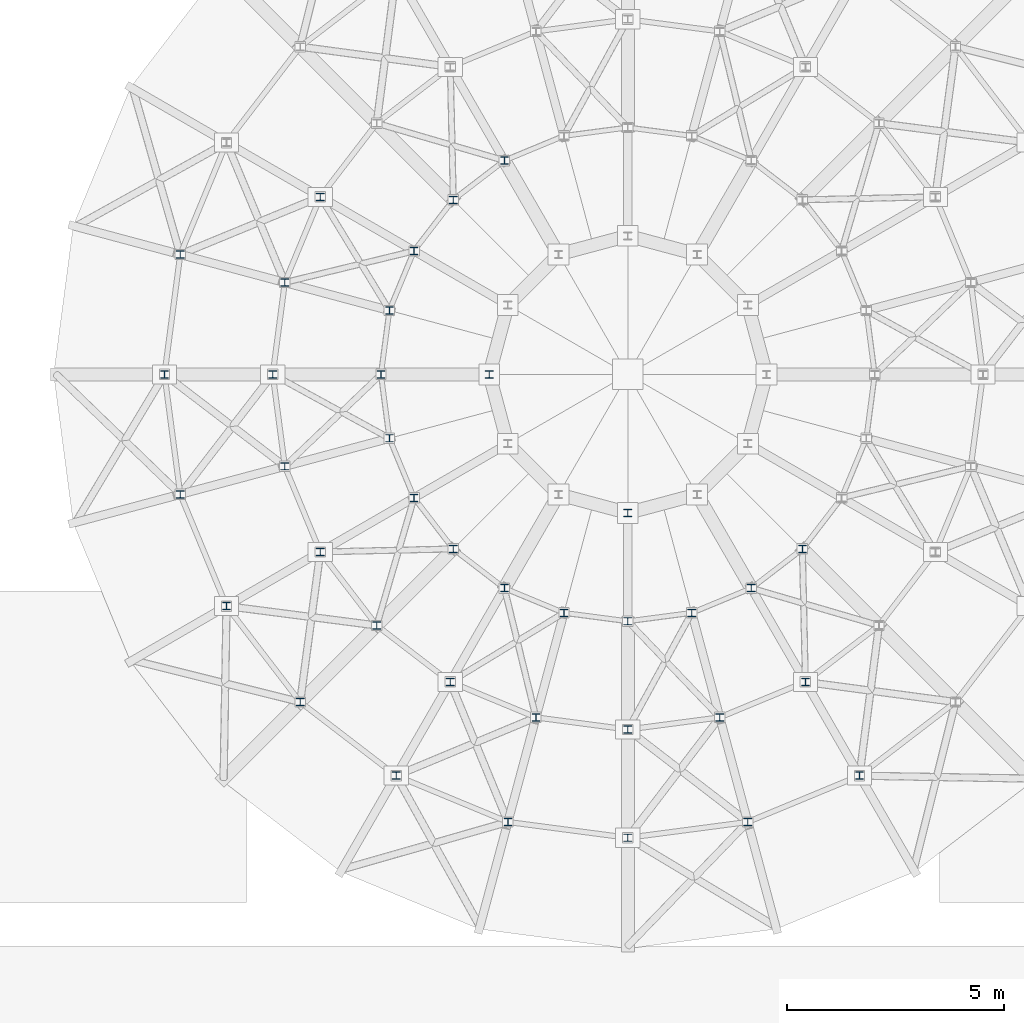
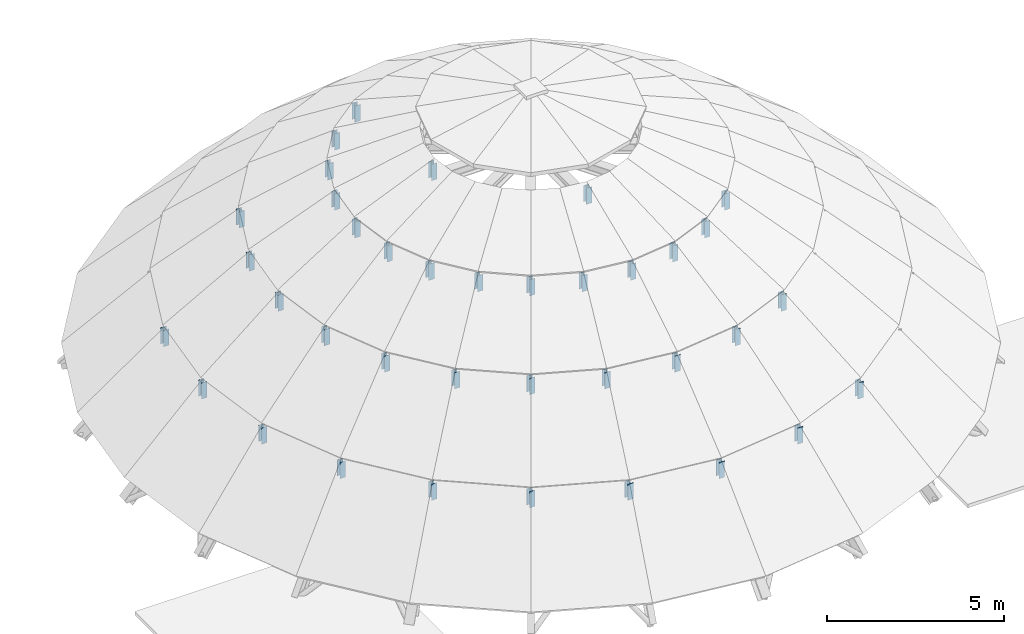
# One storey, part 20 of 31: 37 members.
"""IFC4 building model written with IfcOpenShell, lengths in metres."""

from ifc_helpers import new_model, si_unit, direction, frame, origin, origin_2d, place, context, subcontext, project, spatial, i_section, extrude, material, material_profile, profile_set, type_object, element, save


model = new_model("IFC4")

# Units and contexts
model_context = context("Model", 3, precision=1e-05, world=origin(), true_north=direction((0.0, 1.0)))
body_context = subcontext(model_context, "Body", "Model", "MODEL_VIEW")
ifc_project = project(units=[si_unit("LENGTHUNIT", "METRE"), si_unit("AREAUNIT", "SQUARE_METRE"), si_unit("VOLUMEUNIT", "CUBIC_METRE"), si_unit("PLANEANGLEUNIT", "RADIAN"), si_unit("MASSUNIT", "GRAM", prefix="KILO")], contexts=[model_context])

# Site, building, storey
site_placement = place(None, origin())
site = spatial("IfcSite", under=ifc_project, at=site_placement, CompositionType="ELEMENT")
building_placement = place(site_placement, origin())
building = spatial("IfcBuilding", under=site, at=building_placement, Name="Clarverna Civic Hall", CompositionType="ELEMENT")
storey_placement = place(building_placement, frame((0.0, 0.0, 31.199951171875)))
storey = spatial("IfcBuildingStorey", under=building, at=storey_placement, Name="RF", CompositionType="ELEMENT", Elevation=31.199951171875)

# Members
ifc_material = material(Name="Steel S355", Category="steel")
ifc_material_profile = material_profile(ifc_material, i_section(OverallWidth=0.179931640625, OverallDepth=0.1708984375, WebThickness=0.006103515625, FlangeThickness=0.009521484375, FilletRadius=0.014892578125, at=origin_2d()), Name="HEA 180")
ifc_profile_set = profile_set([ifc_material_profile], Name="Steel S355")
member_type = type_object("IfcMemberType", Name="CH-04", PredefinedType="CHORD", material=ifc_profile_set)
for number, where, z_axis, x_axis, name in (
    (1, (72.464599609375, 61.769287109375, -8.099853515625), (0.0, 0.0, 1.0), (1.0, 0.0, 0.0), "CH-04-012"),
    (2, (72.10009765625, 59.0, -8.099853515625), (0.0, 0.0, 1.0), (1.0, 0.0, 0.0), "CH-04-013"),
    (3, (72.464599609375, 56.230712890625, -8.099853515625), (0.0, 0.0, 1.0), (1.0, 0.0, 0.0), "CH-04-014"),
    (4, (73.533447265625, 53.64990234375, -8.099853515625), (0.0, 0.0, 1.0), (1.0, 0.0, 0.0), "CH-04-015"),
    (5, (75.23388671875, 51.43408203125, -8.099853515625), (0.0, 0.0, 1.0), (1.0, 0.0, 0.0), "CH-04-016"),
    (6, (77.449951171875, 49.7333984375, -8.099853515625), (0.0, 0.0, 1.0), (1.0, 0.0, 0.0), "CH-04-017"),
    (7, (80.030517578125, 48.66455078125, -8.099853515625), (0.0, 0.0, 1.0), (1.0, 0.0, 0.0), "CH-04-018"),
    (8, (82.800048828125, 48.300048828125, -8.099853515625), (0.0, 0.0, 1.0), (1.0, 0.0, 0.0), "CH-04-019"),
    (9, (85.5693359375, 48.66455078125, -8.099853515625), (0.0, 0.0, 1.0), (1.0, 0.0, 0.0), "CH-04-020"),
    (10, (88.14990234375, 49.7333984375, -8.099853515625), (0.0, 0.0, 1.0), (1.0, 0.0, 0.0), "CH-04-021"),
):
    element("IfcMember", number, at=place(storey_placement, frame(where, z_axis=z_axis, x_axis=x_axis)), inside=storey, type_object=member_type, Name=name, PredefinedType="CHORD", context=body_context, shape_type="SweptSolid", body=[
        extrude(i_section(OverallWidth=0.179931640625, OverallDepth=0.1708984375, WebThickness=0.006103515625, FlangeThickness=0.009521484375, FilletRadius=0.014892578125, at=origin_2d()), origin(), (0.0, 0.0, 1.0), 0.559814453125),
    ])
for number, where, z_axis, x_axis, name in (
    (11, (75.698486328125, 63.10009765625, -5.949951171875), (0.0, 0.0, 1.0), (1.0, 0.0, 0.0), "CH-04-035"),
    (12, (74.87939453125, 61.122314453125, -5.949951171875), (0.0, 0.0, 1.0), (1.0, 0.0, 0.0), "CH-04-036"),
    (13, (74.60009765625, 59.0, -5.949951171875), (0.0, 0.0, 1.0), (1.0, 0.0, 0.0), "CH-04-037"),
    (14, (74.87939453125, 56.877685546875, -5.949951171875), (0.0, 0.0, 1.0), (1.0, 0.0, 0.0), "CH-04-038"),
    (15, (75.698486328125, 54.89990234375, -5.949951171875), (0.0, 0.0, 1.0), (1.0, 0.0, 0.0), "CH-04-039"),
    (16, (77.001708984375, 53.20166015625, -5.949951171875), (0.0, 0.0, 1.0), (1.0, 0.0, 0.0), "CH-04-040"),
    (17, (78.699951171875, 51.898681640625, -5.949951171875), (0.0, 0.0, 1.0), (1.0, 0.0, 0.0), "CH-04-041"),
    (18, (80.677734375, 51.079345703125, -5.949951171875), (0.0, 0.0, 1.0), (1.0, 0.0, 0.0), "CH-04-042"),
    (19, (82.800048828125, 50.800048828125, -5.949951171875), (0.0, 0.0, 1.0), (1.0, 0.0, 0.0), "CH-04-043"),
    (20, (84.92236328125, 51.079345703125, -5.949951171875), (0.0, 0.0, 1.0), (1.0, 0.0, 0.0), "CH-04-044"),
    (21, (86.89990234375, 51.898681640625, -5.949951171875), (0.0, 0.0, 1.0), (1.0, 0.0, 0.0), "CH-04-045"),
    (22, (79.949951171875, 63.936279296875, -4.300048828125), (0.0, 0.0, 1.0), (1.0, 0.0, 0.0), "CH-04-057"),
    (23, (78.76953125, 63.030517578125, -4.300048828125), (0.0, 0.0, 1.0), (1.0, 0.0, 0.0), "CH-04-058"),
    (24, (77.86376953125, 61.85009765625, -4.300048828125), (0.0, 0.0, 1.0), (1.0, 0.0, 0.0), "CH-04-059"),
    (25, (77.294189453125, 60.475341796875, -4.300048828125), (0.0, 0.0, 1.0), (1.0, 0.0, 0.0), "CH-04-060"),
    (26, (77.10009765625, 59.0, -4.300048828125), (0.0, 0.0, 1.0), (1.0, 0.0, 0.0), "CH-04-061"),
    (27, (77.294189453125, 57.524658203125, -4.300048828125), (0.0, 0.0, 1.0), (1.0, 0.0, 0.0), "CH-04-062"),
    (28, (77.86376953125, 56.14990234375, -4.300048828125), (0.0, 0.0, 1.0), (1.0, 0.0, 0.0), "CH-04-063"),
    (29, (78.76953125, 54.969482421875, -4.300048828125), (0.0, 0.0, 1.0), (1.0, 0.0, 0.0), "CH-04-064"),
    (30, (79.949951171875, 54.063720703125, -4.300048828125), (0.0, 0.0, 1.0), (1.0, 0.0, 0.0), "CH-04-065"),
    (31, (81.32470703125, 53.494140625, -4.300048828125), (0.0, 0.0, 1.0), (1.0, 0.0, 0.0), "CH-04-066"),
    (32, (82.800048828125, 53.300048828125, -4.300048828125), (0.0, 0.0, 1.0), (1.0, 0.0, 0.0), "CH-04-067"),
    (33, (84.275390625, 53.494140625, -4.300048828125), (0.0, 0.0, 1.0), (1.0, 0.0, 0.0), "CH-04-068"),
    (34, (85.64990234375, 54.063720703125, -4.300048828125), (0.0, 0.0, 1.0), (1.0, 0.0, 0.0), "CH-04-069"),
    (35, (86.83056640625, 54.969482421875, -4.300048828125), (0.0, 0.0, 1.0), (1.0, 0.0, 0.0), "CH-04-070"),
    (36, (79.60009765625, 59.0, -3.199951171875), (0.0, 0.0, 1.0), (1.0, 0.0, 0.0), "CH-04-079"),
    (37, (82.800048828125, 55.800048828125, -3.199951171875), (0.0, 0.0, 1.0), (1.0, 0.0, 0.0), "CH-04-082"),
):
    element("IfcMember", number, at=place(storey_placement, frame(where, z_axis=z_axis, x_axis=x_axis)), inside=storey, type_object=member_type, Name=name, PredefinedType="CHORD", context=body_context, shape_type="SweptSolid", body=[
        extrude(i_section(OverallWidth=0.179931640625, OverallDepth=0.1708984375, WebThickness=0.006103515625, FlangeThickness=0.009521484375, FilletRadius=0.014892578125, at=origin_2d()), origin(), (0.0, 0.0, 1.0), 0.56005859375),
    ])

save(model, "model.ifc")
